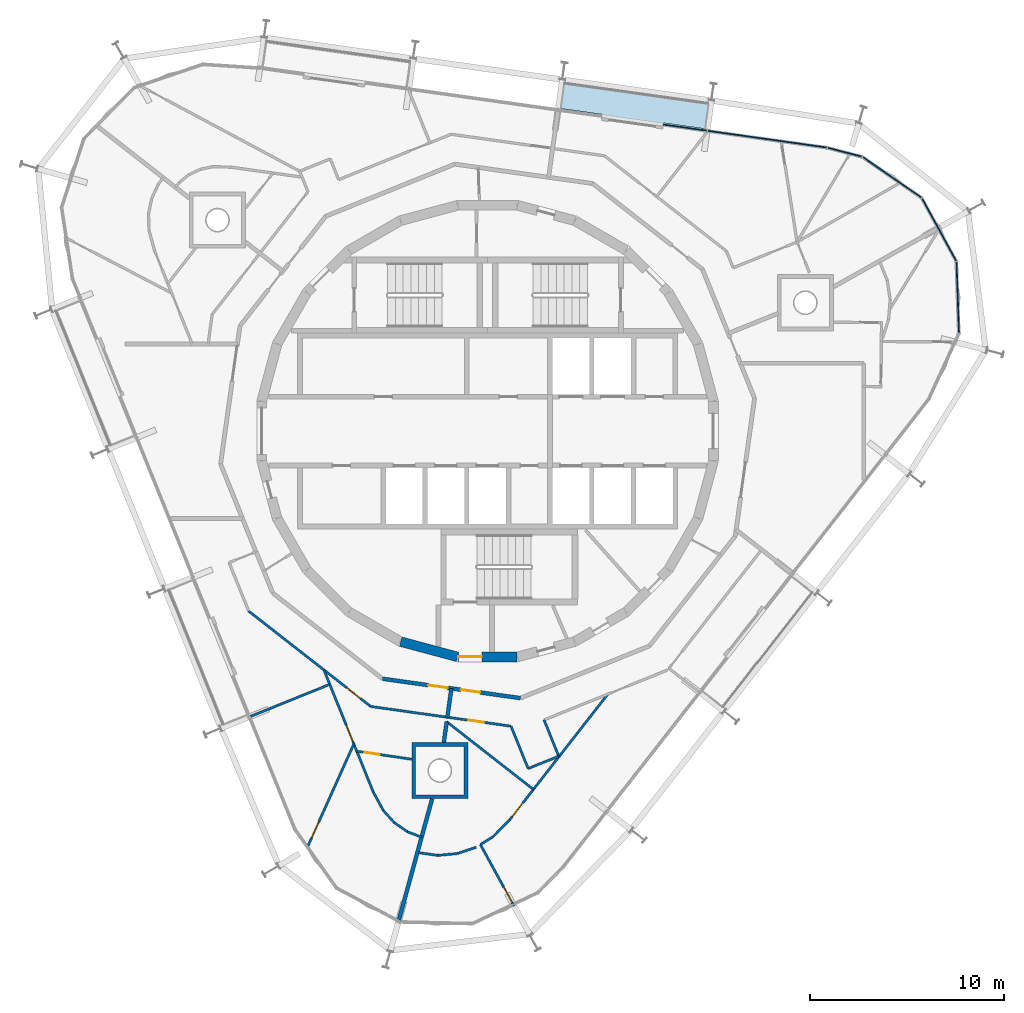
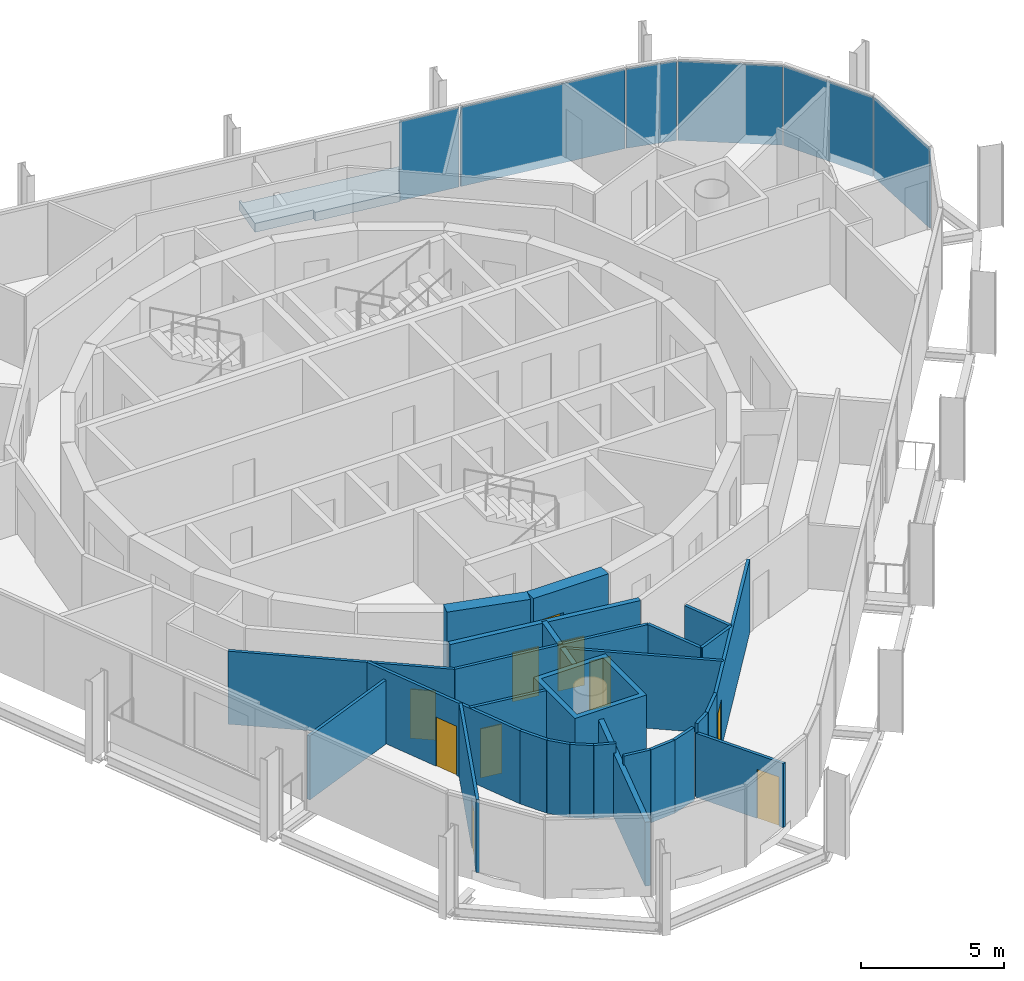
# One storey, part 9 of 15: 28 walls, 10 doors, 6 plates, 1 slab, 10 openings, 2 elements without a shape of their own.
"""IFC4 building model written with IfcOpenShell, lengths in metres."""

from ifc_helpers import new_model, si_unit, direction, frame, frame_2d, origin, origin_2d, place, context, subcontext, project, spatial, polyline, rectangle, outline, extrude, material, layer, layer_set, type_object, element, fill, aggregate, save


model = new_model("IFC4")

# Units and contexts
model_context = context("Model", 3, precision=1e-05, world=origin(), true_north=direction((0.0, 1.0)))
body_context = subcontext(model_context, "Body", "Model", "MODEL_VIEW")
ifc_project = project(units=[si_unit("LENGTHUNIT", "METRE"), si_unit("AREAUNIT", "SQUARE_METRE"), si_unit("VOLUMEUNIT", "CUBIC_METRE"), si_unit("PLANEANGLEUNIT", "RADIAN"), si_unit("MASSUNIT", "GRAM", prefix="KILO")], contexts=[model_context])

# Site, building, storey
site_placement = place(None, origin())
site = spatial("IfcSite", under=ifc_project, at=site_placement, CompositionType="ELEMENT")
building_placement = place(site_placement, origin())
building = spatial("IfcBuilding", under=site, at=building_placement, Name="Spindle Arch Residences", CompositionType="ELEMENT")
storey_placement = place(building_placement, frame((0.0, 0.0, 350.5)))
storey = spatial("IfcBuildingStorey", under=building, at=storey_placement, Name="L90", CompositionType="ELEMENT", Elevation=350.5)

# Slab
ifc_material_1 = material(Name="Concrete C40/50", Category="concrete")
ifc_layer_1 = layer(ifc_material_1, 0.3798828125)
ifc_layer_set_1 = layer_set([ifc_layer_1], Name="Balcony slab 380")
slab_type = type_object("IfcSlabType", Name="Balcony slab 380", PredefinedType="FLOOR", material=ifc_layer_set_1)
slab_placement = place(storey_placement, frame((0.0, 0.0, -0.3798828125)))
element("IfcSlab", 1, at=slab_placement, inside=storey, type_object=slab_type, Name="Balcony L90 bay 6", PredefinedType="FLOOR", context=body_context, shape_type="SweptSolid", body=[
    extrude(outline(polyline([(11.470458984375, 17.05810546875), (11.396240234375, 17.068359375), (11.375244140625, 16.919921875), (3.982421875, 17.958984375), (4.00341796875, 18.107421875), (3.928955078125, 18.117919921875), (3.7216796875, 16.642333984375), (5.907958984375, 16.335205078125), (5.8857421875, 16.1767578125), (9.054443359375, 15.7314453125), (9.076904296875, 15.889892578125), (11.26318359375, 15.58251953125), (11.470458984375, 17.05810546875)])), origin(), (0.0, 0.0, 1.0), 0.3798828125),
])

# Curtain wall, plates
ifc_material_2 = material(Name="Aluminium bronze unitised frame with tinted glass", Category="aluminium")
ifc_layer_2 = layer(ifc_material_2, 0.159912109375)
ifc_layer_set_2 = layer_set([ifc_layer_2], Name="CW-D corner wall on the fillet arcs")
curtain_wall_type_1 = type_object("IfcCurtainWallType", Name="CW-D corner wall on the fillet arcs", PredefinedType="NOTDEFINED", material=ifc_layer_set_2)
curtain_wall_1_placement = place(storey_placement, origin())
curtain_wall_1 = element("IfcCurtainWall", 2, at=curtain_wall_1_placement, inside=storey, type_object=curtain_wall_type_1, Name="CW-D L90 run 1", PredefinedType="NOTDEFINED")
ifc_material_3 = material(Name="Tinted double glazing over aluminium faced non-combustible spandrel zone (K0)", Category="aluminium")
ifc_layer_3 = layer(ifc_material_3, 0.06005859375)
ifc_layer_set_3 = layer_set([ifc_layer_3], Name="Unitised glass panel with E 60 spandrel zone")
plate_type = type_object("IfcPlateType", Name="Unitised glass panel with E 60 spandrel zone", PredefinedType="CURTAIN_PANEL", material=ifc_layer_set_3)
plate_1_placement = place(storey_placement, frame((24.2470703125, 6.896240234375, -0.3798828125), z_axis=(0.0, 0.0, 1.0), x_axis=(-0.034899497139, 0.999390827004, 0.0)))
plate_1 = element("IfcPlate", 3, at=plate_1_placement, type_object=plate_type, Name="CW-D unit 02", PredefinedType="CURTAIN_PANEL", context=body_context, shape_type="SweptSolid", body=[
    extrude(rectangle(XDim=3.666748046875, YDim=0.06005859375, at=origin_2d()), origin(), (0.0, 0.0, 1.0), 3.3798828125),
])
plate_2_placement = place(storey_placement, frame((23.2880859375, 10.3935546875, -0.3798828125), z_axis=(0.0, 0.0, 1.0), x_axis=(-0.479713114021, 0.877425397533, 0.0)))
plate_2 = element("IfcPlate", 4, at=plate_2_placement, type_object=plate_type, Name="CW-D unit 03", PredefinedType="CURTAIN_PANEL", context=body_context, shape_type="SweptSolid", body=[
    extrude(rectangle(XDim=3.666748046875, YDim=0.06005859375, at=origin_2d()), origin(), (0.0, 0.0, 1.0), 3.3798828125),
])
plate_3_placement = place(storey_placement, frame((20.86181640625, 13.08837890625, -0.3798828125), z_axis=(0.0, 0.0, 1.0), x_axis=(-0.822475094841, 0.568801123739, 0.0)))
plate_3 = element("IfcPlate", 5, at=plate_3_placement, type_object=plate_type, Name="CW-D unit 04", PredefinedType="CURTAIN_PANEL", context=body_context, shape_type="SweptSolid", body=[
    extrude(rectangle(XDim=3.666748046875, YDim=0.06005859375, at=origin_2d()), origin(), (0.0, 0.0, 1.0), 3.3798828125),
])
plate_4_placement = place(storey_placement, frame((18.421630859375, 14.3857421875, -0.3798828125), z_axis=(0.0, 0.0, 1.0), x_axis=(-0.967415218326, 0.25319517245, 0.0)))
plate_4 = element("IfcPlate", 6, at=plate_4_placement, type_object=plate_type, Name="CW-D unit 05", PredefinedType="CURTAIN_PANEL", context=body_context, shape_type="SweptSolid", body=[
    extrude(rectangle(XDim=1.816162109375, YDim=0.06005859375, at=origin_2d()), origin(), (0.0, 0.0, 1.0), 3.3798828125),
])
plate_5_placement = place(storey_placement, frame((14.420166015625, 15.05810546875, -0.3798828125), z_axis=(0.0, 0.0, 1.0), x_axis=(-0.990268068742, 0.13917310096, 0.0)))
plate_5 = element("IfcPlate", 7, at=plate_5_placement, type_object=plate_type, Name="CW-D unit 06", PredefinedType="CURTAIN_PANEL", context=body_context, shape_type="SweptSolid", body=[
    extrude(rectangle(XDim=6.188720703125, YDim=0.06005859375, at=origin_2d()), origin(), (0.0, 0.0, 1.0), 3.3798828125),
])
aggregate(curtain_wall_1, [plate_1, plate_2, plate_3, plate_4, plate_5])

# Curtain wall, plate
ifc_material_4 = material(Name="Aluminium bronze unitised frame with tinted glass", Category="aluminium")
ifc_layer_4 = layer(ifc_material_4, 0.159912109375)
ifc_layer_set_4 = layer_set([ifc_layer_4], Name="CW-C typical residential unitised wall")
curtain_wall_type_2 = type_object("IfcCurtainWallType", Name="CW-C typical residential unitised wall", PredefinedType="NOTDEFINED", material=ifc_layer_set_4)
curtain_wall_2_placement = place(storey_placement, origin())
curtain_wall_2 = element("IfcCurtainWall", 8, at=curtain_wall_2_placement, inside=storey, type_object=curtain_wall_type_2, Name="CW-C L90 run 2", PredefinedType="NOTDEFINED")
plate_6_placement = place(storey_placement, frame((10.18115234375, 15.65380859375, -0.3798828125), z_axis=(0.0, 0.0, 1.0), x_axis=(-0.990268068742, 0.13917310096, 0.0)))
plate_6 = element("IfcPlate", 9, at=plate_6_placement, type_object=plate_type, Name="CW-C unit 05L", PredefinedType="CURTAIN_PANEL", context=body_context, shape_type="SweptSolid", body=[
    extrude(rectangle(XDim=2.252685546875, YDim=0.06005859375, at=origin_2d()), origin(), (0.0, 0.0, 1.0), 3.3798828125),
])
aggregate(curtain_wall_2, [plate_6])

# Wall
ifc_material_5 = material(Name="Concrete C50/60", Category="concrete")
ifc_layer_5 = layer(ifc_material_5, 0.5)
ifc_layer_set_5 = layer_set([ifc_layer_5], Name="Core outline wall 500")
wall_type_1 = type_object("IfcWallType", Name="Core outline wall 500", PredefinedType="SHEAR", material=ifc_layer_set_5)
wall_1_placement = place(storey_placement, frame((-4.479248046875, -10.858154296875, 0.0), z_axis=(0.0, 0.0, 1.0), x_axis=(0.965948410781, -0.258734743916, 0.0)))
element("IfcWall", 10, at=wall_1_placement, inside=storey, type_object=wall_type_1, Name="Core outline wall 23", PredefinedType="SHEAR", context=body_context, shape_type="SweptSolid", body=[
    extrude(rectangle(XDim=3.03271484375, YDim=0.5, at=frame_2d((1.516357421875, 0.0))), origin(), (0.0, 0.0, 1.0), 3.1201171875),
])

# Wall, opening, door
wall_2_placement = place(storey_placement, frame((-1.516357421875, -11.647216796875, 0.0), z_axis=(0.0, 0.0, 1.0), x_axis=(1.0, 0.0, 0.0)))
wall_2 = element("IfcWall", 11, at=wall_2_placement, inside=storey, type_object=wall_type_1, Name="Core outline wall 24", PredefinedType="SHEAR", context=body_context, shape_type="SweptSolid", body=[
    extrude(rectangle(XDim=3.03271484375, YDim=0.5, at=frame_2d((1.516357421875, 0.0))), origin(), (0.0, 0.0, 1.0), 3.1201171875),
])
opening_1_placement = place(wall_2_placement, frame((0.016357421875, 0.0, 0.0)))
opening_1 = element("IfcOpeningElement", 12, at=opening_1_placement, cuts=wall_2, Name="Opening R9B1-AD03", PredefinedType="OPENING", context=body_context, shape_type="SweptSolid", body=[
    extrude(rectangle(XDim=1.199951171875, YDim=2.10009765625, at=frame_2d((0.60009765625, 1.050048828125))), frame((0.0, 0.260009765625, 0.0), z_axis=(0.0, -1.0, 0.0), x_axis=(1.0, 0.0, 0.0)), (0.0, 0.0, 1.0), 0.52001953125),
])
ifc_material_6 = material(Name="Steel, fire-resisting door", Category="steel")
door_type_1 = type_object("IfcDoorType", Name="Stair airlock door 1200x2100", OperationType="SINGLE_SWING_LEFT", PredefinedType="DOOR", material=ifc_material_6)
door_1_placement = place(opening_1_placement, origin())
door_1 = element("IfcDoor", 13, at=door_1_placement, inside=storey, type_object=door_type_1, Name="Stair airlock door R9B1-AD03", OperationType="SINGLE_SWING_RIGHT", OverallHeight=2.10009765625, OverallWidth=1.199951171875, PredefinedType="DOOR", context=body_context, shape_type="SweptSolid", body=[
    extrude(rectangle(XDim=1.199951171875, YDim=2.10009765625, at=frame_2d((0.60009765625, 1.050048828125))), frame((0.0, 0.02490234375, 0.0), z_axis=(0.0, -1.0, 0.0), x_axis=(1.0, 0.0, 0.0)), (0.0, 0.0, 1.0), 0.050048828125),
])
fill(opening_1, door_1)

# Wall, openings, doors
ifc_material_7 = material(Name="Calcium silicate block, plastered")
ifc_layer_6 = layer(ifc_material_7, 0.199951171875)
ifc_layer_set_6 = layer_set([ifc_layer_6], Name="Corridor wall 200")
wall_type_2 = type_object("IfcWallType", Name="Corridor wall 200", PredefinedType="STANDARD", material=ifc_layer_set_6)
wall_3_placement = place(storey_placement, frame((-5.42041015625, -12.77001953125, 0.0), z_axis=(0.0, 0.0, 1.0), x_axis=(0.990270565508, -0.139155334385, 0.0)))
wall_3 = element("IfcWall", 14, at=wall_3_placement, inside=storey, type_object=wall_type_2, Name="Corridor wall R9B1-W015", PredefinedType="STANDARD", context=body_context, shape_type="SweptSolid", body=[
    extrude(rectangle(XDim=7.180908203125, YDim=0.199951171875, at=frame_2d((3.59033203125, 0.0))), origin(), (0.0, 0.0, 1.0), 3.1201171875),
])
opening_2_placement = place(wall_3_placement, frame((2.390380859375, 0.0, 0.0)))
opening_2 = element("IfcOpeningElement", 15, at=opening_2_placement, cuts=wall_3, Name="Opening R9B1-FD05", PredefinedType="OPENING", context=body_context, shape_type="SweptSolid", body=[
    extrude(rectangle(XDim=1.0, YDim=2.10009765625, at=frame_2d((0.5, 1.050048828125))), frame((0.0, 0.10986328125, 0.0), z_axis=(0.0, -1.0, 0.0), x_axis=(1.0, 0.0, 0.0)), (0.0, 0.0, 1.0), 0.219970703125),
])
opening_3_placement = place(wall_3_placement, frame((4.090576171875, 0.0, 0.0)))
opening_3 = element("IfcOpeningElement", 16, at=opening_3_placement, cuts=wall_3, Name="Opening R9B1-FD06", PredefinedType="OPENING", context=body_context, shape_type="SweptSolid", body=[
    extrude(rectangle(XDim=1.0, YDim=2.10009765625, at=frame_2d((0.5, 1.050048828125))), frame((0.0, 0.10986328125, 0.0), z_axis=(0.0, -1.0, 0.0), x_axis=(1.0, 0.0, 0.0)), (0.0, 0.0, 1.0), 0.219970703125),
])
ifc_material_8 = material(Name="Timber, fire-resisting door set", Category="wood")
door_type_2 = type_object("IfcDoorType", Name="Flat entrance door 1000x2100", OperationType="NOTDEFINED", PredefinedType="DOOR", material=ifc_material_8)
door_2_placement = place(opening_2_placement, origin())
door_2 = element("IfcDoor", 17, at=door_2_placement, inside=storey, type_object=door_type_2, Name="Flat entrance door R9B1-FD05", OperationType="SINGLE_SWING_RIGHT", OverallHeight=2.10009765625, OverallWidth=1.0, PredefinedType="DOOR", context=body_context, shape_type="SweptSolid", body=[
    extrude(rectangle(XDim=1.0, YDim=2.10009765625, at=frame_2d((0.5, 1.050048828125))), frame((0.0, 0.02490234375, 0.0), z_axis=(0.0, -1.0, 0.0), x_axis=(1.0, 0.0, 0.0)), (0.0, 0.0, 1.0), 0.050048828125),
])
fill(opening_2, door_2)
door_3_placement = place(opening_3_placement, origin())
door_3 = element("IfcDoor", 18, at=door_3_placement, inside=storey, type_object=door_type_2, Name="Flat entrance door R9B1-FD06", OperationType="SINGLE_SWING_RIGHT", OverallHeight=2.10009765625, OverallWidth=1.0, PredefinedType="DOOR", context=body_context, shape_type="SweptSolid", body=[
    extrude(rectangle(XDim=1.0, YDim=2.10009765625, at=frame_2d((0.5, 1.050048828125))), frame((0.0, 0.02490234375, 0.0), z_axis=(0.0, -1.0, 0.0), x_axis=(1.0, 0.0, 0.0)), (0.0, 0.0, 1.0), 0.050048828125),
])
fill(opening_3, door_3)

# Wall, opening, door
ifc_material_9 = material(Name="Plasterboard on steel studs", Category="steel")
ifc_layer_7 = layer(ifc_material_9, 0.1201171875)
ifc_layer_set_7 = layer_set([ifc_layer_7], Name="Flat partition 120")
wall_type_3 = type_object("IfcWallType", Name="Flat partition 120", PredefinedType="PARTITIONING", material=ifc_layer_set_7)
wall_4_placement = place(storey_placement, frame((-12.3193359375, -9.283447265625, 0.0), z_axis=(0.0, 0.0, 1.0), x_axis=(0.788000268464, -0.61567489546, 0.0)))
wall_4 = element("IfcWall", 19, at=wall_4_placement, inside=storey, type_object=wall_type_3, Name="Flat partition R9B1-W074", PredefinedType="PARTITIONING", context=body_context, shape_type="SweptSolid", body=[
    extrude(rectangle(XDim=7.98486328125, YDim=0.1201171875, at=frame_2d((3.992431640625, 0.0))), origin(), (0.0, 0.0, 1.0), 3.1201171875),
])
opening_4_placement = place(wall_4_placement, frame((6.423095703125, 0.0, 0.0)))
opening_4 = element("IfcOpeningElement", 20, at=opening_4_placement, cuts=wall_4, Name="Opening R9B1-ID16", PredefinedType="OPENING", context=body_context, shape_type="SweptSolid", body=[
    extrude(rectangle(XDim=0.89990234375, YDim=2.10009765625, at=frame_2d((0.449951171875, 1.050048828125))), frame((0.0, 0.070068359375, 0.0), z_axis=(0.0, -1.0, 0.0), x_axis=(1.0, 0.0, 0.0)), (0.0, 0.0, 1.0), 0.14013671875),
])
ifc_material_10 = material(Name="Timber door set", Category="wood")
door_type_3 = type_object("IfcDoorType", Name="Room door 900x2100", OperationType="NOTDEFINED", PredefinedType="DOOR", material=ifc_material_10)
door_4_placement = place(opening_4_placement, origin())
door_4 = element("IfcDoor", 21, at=door_4_placement, inside=storey, type_object=door_type_3, Name="Room door R9B1-ID16", OperationType="SINGLE_SWING_RIGHT", OverallHeight=2.10009765625, OverallWidth=0.89990234375, PredefinedType="DOOR", context=body_context, shape_type="SweptSolid", body=[
    extrude(rectangle(XDim=0.89990234375, YDim=2.10009765625, at=frame_2d((0.449951171875, 1.050048828125))), frame((0.0, 0.02490234375, 0.0), z_axis=(0.0, -1.0, 0.0), x_axis=(1.0, 0.0, 0.0)), (0.0, 0.0, 1.0), 0.050048828125),
])
fill(opening_4, door_4)

wall_5_placement = place(storey_placement, frame((-6.02734375, -14.199462890625, 0.0), z_axis=(0.0, 0.0, 1.0), x_axis=(0.990271617837, -0.139147845494, 0.0)))
wall_5 = element("IfcWall", 22, at=wall_5_placement, inside=storey, type_object=wall_type_3, Name="Flat partition R9B1-W075", PredefinedType="PARTITIONING", context=body_context, shape_type="SweptSolid", body=[
    extrude(rectangle(XDim=7.3076171875, YDim=0.1201171875, at=frame_2d((3.65380859375, 0.0))), origin(), (0.0, 0.0, 1.0), 3.1201171875),
])
opening_5_placement = place(wall_5_placement, frame((5.092529296875, 0.0, 0.0)))
opening_5 = element("IfcOpeningElement", 23, at=opening_5_placement, cuts=wall_5, Name="Opening R9B1-BD06", PredefinedType="OPENING", context=body_context, shape_type="SweptSolid", body=[
    extrude(rectangle(XDim=0.800048828125, YDim=2.10009765625, at=frame_2d((0.39990234375, 1.050048828125))), frame((0.0, 0.070068359375, 0.0), z_axis=(0.0, -1.0, 0.0), x_axis=(1.0, 0.0, 0.0)), (0.0, 0.0, 1.0), 0.14013671875),
])
ifc_material_11 = material(Name="Timber door set", Category="wood")
door_type_4 = type_object("IfcDoorType", Name="Bathroom door 800x2100", OperationType="NOTDEFINED", PredefinedType="DOOR", material=ifc_material_11)
door_5_placement = place(opening_5_placement, origin())
door_5 = element("IfcDoor", 24, at=door_5_placement, inside=storey, type_object=door_type_4, Name="Bathroom door R9B1-BD06", OperationType="SINGLE_SWING_LEFT", OverallHeight=2.10009765625, OverallWidth=0.800048828125, PredefinedType="DOOR", context=body_context, shape_type="SweptSolid", body=[
    extrude(rectangle(XDim=0.800048828125, YDim=2.10009765625, at=frame_2d((0.39990234375, 1.050048828125))), frame((0.0, 0.02490234375, 0.0), z_axis=(0.0, -1.0, 0.0), x_axis=(1.0, 0.0, 0.0)), (0.0, 0.0, 1.0), 0.050048828125),
])
fill(opening_5, door_5)

wall_6_placement = place(storey_placement, frame((-5.89404296875, -18.615966796875, 0.0), z_axis=(0.0, 0.0, 1.0), x_axis=(-0.374596683143, 0.927187858515, 0.0)))
wall_6 = element("IfcWall", 25, at=wall_6_placement, inside=storey, type_object=wall_type_3, Name="Flat partition R9B1-W077", PredefinedType="PARTITIONING", context=body_context, shape_type="SweptSolid", body=[
    extrude(rectangle(XDim=6.79638671875, YDim=0.1201171875, at=frame_2d((3.398193359375, 0.0))), origin(), (0.0, 0.0, 1.0), 3.1201171875),
])
opening_6_placement = place(wall_6_placement, frame((2.822265625, 0.0, 0.0)))
opening_6 = element("IfcOpeningElement", 26, at=opening_6_placement, cuts=wall_6, Name="Opening R9B1-ID17", PredefinedType="OPENING", context=body_context, shape_type="SweptSolid", body=[
    extrude(rectangle(XDim=0.89990234375, YDim=2.10009765625, at=frame_2d((0.449951171875, 1.050048828125))), frame((0.0, 0.070068359375, 0.0), z_axis=(0.0, -1.0, 0.0), x_axis=(1.0, 0.0, 0.0)), (0.0, 0.0, 1.0), 0.14013671875),
])
door_6_placement = place(opening_6_placement, origin())
door_6 = element("IfcDoor", 27, at=door_6_placement, inside=storey, type_object=door_type_3, Name="Room door R9B1-ID17", OperationType="SINGLE_SWING_RIGHT", OverallHeight=2.10009765625, OverallWidth=0.89990234375, PredefinedType="DOOR", context=body_context, shape_type="SweptSolid", body=[
    extrude(rectangle(XDim=0.89990234375, YDim=2.10009765625, at=frame_2d((0.449951171875, 1.050048828125))), frame((0.0, 0.02490234375, 0.0), z_axis=(0.0, -1.0, 0.0), x_axis=(1.0, 0.0, 0.0)), (0.0, 0.0, 1.0), 0.050048828125),
])
fill(opening_6, door_6)

wall_7_placement = place(storey_placement, frame((-9.3203125, -21.52099609375, 0.0), z_axis=(0.0, 0.0, 1.0), x_axis=(0.410206582363, 0.911992631432, 0.0)))
wall_7 = element("IfcWall", 28, at=wall_7_placement, inside=storey, type_object=wall_type_3, Name="Flat partition R9B1-W078", PredefinedType="PARTITIONING", context=body_context, shape_type="SweptSolid", body=[
    extrude(rectangle(XDim=5.90771484375, YDim=0.1201171875, at=frame_2d((2.953857421875, 0.0))), origin(), (0.0, 0.0, 1.0), 3.1201171875),
])
opening_7_placement = place(wall_7_placement, frame((0.60009765625, 0.0, 0.0)))
opening_7 = element("IfcOpeningElement", 29, at=opening_7_placement, cuts=wall_7, Name="Opening R9B1-ID18", PredefinedType="OPENING", context=body_context, shape_type="SweptSolid", body=[
    extrude(rectangle(XDim=0.89990234375, YDim=2.10009765625, at=frame_2d((0.449951171875, 1.050048828125))), frame((0.0, 0.070068359375, 0.0), z_axis=(0.0, -1.0, 0.0), x_axis=(1.0, 0.0, 0.0)), (0.0, 0.0, 1.0), 0.14013671875),
])
door_7_placement = place(opening_7_placement, origin())
door_7 = element("IfcDoor", 30, at=door_7_placement, inside=storey, type_object=door_type_3, Name="Room door R9B1-ID18", OperationType="SINGLE_SWING_RIGHT", OverallHeight=2.10009765625, OverallWidth=0.89990234375, PredefinedType="DOOR", context=body_context, shape_type="SweptSolid", body=[
    extrude(rectangle(XDim=0.89990234375, YDim=2.10009765625, at=frame_2d((0.449951171875, 1.050048828125))), frame((0.0, 0.02490234375, 0.0), z_axis=(0.0, -1.0, 0.0), x_axis=(1.0, 0.0, 0.0)), (0.0, 0.0, 1.0), 0.050048828125),
])
fill(opening_7, door_7)

wall_8_placement = place(storey_placement, frame((-6.7451171875, -16.509033203125, 0.0), z_axis=(0.0, 0.0, 1.0), x_axis=(0.989610924185, -0.143771411393, 0.0)))
wall_8 = element("IfcWall", 31, at=wall_8_placement, inside=storey, type_object=wall_type_3, Name="Flat partition R9B1-W079", PredefinedType="PARTITIONING", context=body_context, shape_type="SweptSolid", body=[
    extrude(rectangle(XDim=2.86474609375, YDim=0.1201171875, at=frame_2d((1.432373046875, 0.0))), origin(), (0.0, 0.0, 1.0), 3.1201171875),
])
opening_8_placement = place(wall_8_placement, frame((0.39990234375, 0.0, 0.0)))
opening_8 = element("IfcOpeningElement", 32, at=opening_8_placement, cuts=wall_8, Name="Opening R9B1-BD05", PredefinedType="OPENING", context=body_context, shape_type="SweptSolid", body=[
    extrude(rectangle(XDim=0.800048828125, YDim=2.10009765625, at=frame_2d((0.39990234375, 1.050048828125))), frame((0.0, 0.070068359375, 0.0), z_axis=(0.0, -1.0, 0.0), x_axis=(1.0, 0.0, 0.0)), (0.0, 0.0, 1.0), 0.14013671875),
])
door_8_placement = place(opening_8_placement, origin())
door_8 = element("IfcDoor", 33, at=door_8_placement, inside=storey, type_object=door_type_4, Name="Bathroom door R9B1-BD05", OperationType="SINGLE_SWING_RIGHT", OverallHeight=2.10009765625, OverallWidth=0.800048828125, PredefinedType="DOOR", context=body_context, shape_type="SweptSolid", body=[
    extrude(rectangle(XDim=0.800048828125, YDim=2.10009765625, at=frame_2d((0.39990234375, 1.050048828125))), frame((0.0, 0.02490234375, 0.0), z_axis=(0.0, -1.0, 0.0), x_axis=(1.0, 0.0, 0.0)), (0.0, 0.0, 1.0), 0.050048828125),
])
fill(opening_8, door_8)

# Walls
wall_9_placement = place(storey_placement, frame((-3.403564453125, -20.943115234375, 0.0), z_axis=(0.0, 0.0, 1.0), x_axis=(-0.931485289212, 0.363778993321, 0.0)))
element("IfcWall", 34, at=wall_9_placement, inside=storey, type_object=wall_type_3, Name="Flat partition R9B1-W080", PredefinedType="PARTITIONING", context=body_context, shape_type="SweptSolid", body=[
    extrude(rectangle(XDim=0.78662109375, YDim=0.1201171875, at=frame_2d((0.393310546875, 0.0))), origin(), (0.0, 0.0, 1.0), 3.1201171875),
])
wall_10_placement = place(storey_placement, frame((-4.13623046875, -20.656982421875, 0.0), z_axis=(0.0, 0.0, 1.0), x_axis=(-0.822552500908, 0.568689179826, 0.0)))
element("IfcWall", 35, at=wall_10_placement, inside=storey, type_object=wall_type_3, Name="Flat partition R9B1-W081", PredefinedType="PARTITIONING", context=body_context, shape_type="SweptSolid", body=[
    extrude(rectangle(XDim=0.8291015625, YDim=0.1201171875, at=frame_2d((0.41455078125, 0.0))), origin(), (0.0, 0.0, 1.0), 3.1201171875),
])
wall_11_placement = place(storey_placement, frame((-4.818115234375, -20.185546875, 0.0), z_axis=(0.0, 0.0, 1.0), x_axis=(-0.669013557227, 0.743250200301, 0.0)))
element("IfcWall", 36, at=wall_11_placement, inside=storey, type_object=wall_type_3, Name="Flat partition R9B1-W082", PredefinedType="PARTITIONING", context=body_context, shape_type="SweptSolid", body=[
    extrude(rectangle(XDim=0.828857421875, YDim=0.1201171875, at=frame_2d((0.41455078125, 0.0))), origin(), (0.0, 0.0, 1.0), 3.1201171875),
])
wall_12_placement = place(storey_placement, frame((-5.37255859375, -19.569580078125, 0.0), z_axis=(0.0, 0.0, 1.0), x_axis=(-0.479796131471, 0.87738000446, 0.0)))
element("IfcWall", 37, at=wall_12_placement, inside=storey, type_object=wall_type_3, Name="Flat partition R9B1-W083", PredefinedType="PARTITIONING", context=body_context, shape_type="SweptSolid", body=[
    extrude(rectangle(XDim=1.0869140625, YDim=0.1201171875, at=frame_2d((0.54345703125, 0.0))), origin(), (0.0, 0.0, 1.0), 3.1201171875),
])
wall_13_placement = place(storey_placement, frame((1.209228515625, -15.21630859375, 0.0), z_axis=(0.0, 0.0, 1.0), x_axis=(0.374531550488, -0.927214170345, 0.0)))
element("IfcWall", 38, at=wall_13_placement, inside=storey, type_object=wall_type_3, Name="Flat partition R9B1-W084", PredefinedType="PARTITIONING", context=body_context, shape_type="SweptSolid", body=[
    extrude(rectangle(XDim=2.357177734375, YDim=0.1201171875, at=frame_2d((1.1787109375, 0.0))), origin(), (0.0, 0.0, 1.0), 3.1201171875),
])
wall_14_placement = place(storey_placement, frame((2.092041015625, -17.40185546875, 0.0), z_axis=(0.0, 0.0, 1.0), x_axis=(0.927153589835, 0.374681492546, 0.0)))
element("IfcWall", 39, at=wall_14_placement, inside=storey, type_object=wall_type_3, Name="Flat partition R9B1-W085", PredefinedType="PARTITIONING", context=body_context, shape_type="SweptSolid", body=[
    extrude(rectangle(XDim=1.699951171875, YDim=0.1201171875, at=frame_2d((0.85009765625, 0.0))), origin(), (0.0, 0.0, 1.0), 3.1201171875),
])
wall_15_placement = place(storey_placement, frame((3.668212890625, -16.764892578125, 0.0), z_axis=(0.0, 0.0, 1.0), x_axis=(-0.374621045498, 0.927178015416, 0.0)))
element("IfcWall", 40, at=wall_15_placement, inside=storey, type_object=wall_type_3, Name="Flat partition R9B1-W086", PredefinedType="PARTITIONING", context=body_context, shape_type="SweptSolid", body=[
    extrude(rectangle(XDim=2.018310546875, YDim=0.1201171875, at=frame_2d((1.00927734375, 0.0))), origin(), (0.0, 0.0, 1.0), 3.1201171875),
])
wall_16_placement = place(storey_placement, frame((-0.587890625, -21.45947265625, 0.0), z_axis=(0.0, 0.0, 1.0), x_axis=(-0.94737753159, -0.320118435332, 0.0)))
element("IfcWall", 41, at=wall_16_placement, inside=storey, type_object=wall_type_3, Name="Flat partition R9B1-W089", PredefinedType="PARTITIONING", context=body_context, shape_type="SweptSolid", body=[
    extrude(rectangle(XDim=1.015869140625, YDim=0.1201171875, at=frame_2d((0.5078125, 0.0))), origin(), (0.0, 0.0, 1.0), 3.1201171875),
])
wall_17_placement = place(storey_placement, frame((-1.55029296875, -21.78466796875, 0.0), z_axis=(0.0, 0.0, 1.0), x_axis=(-0.995667655176, -0.092983441736, 0.0)))
element("IfcWall", 42, at=wall_17_placement, inside=storey, type_object=wall_type_3, Name="Flat partition R9B1-W090", PredefinedType="PARTITIONING", context=body_context, shape_type="SweptSolid", body=[
    extrude(rectangle(XDim=1.01611328125, YDim=0.1201171875, at=frame_2d((0.508056640625, 0.0))), origin(), (0.0, 0.0, 1.0), 3.1201171875),
])
wall_18_placement = place(storey_placement, frame((-2.56201171875, -21.879150390625, 0.0), z_axis=(0.0, 0.0, 1.0), x_axis=(-0.990273657549, 0.139133328736, 0.0)))
element("IfcWall", 43, at=wall_18_placement, inside=storey, type_object=wall_type_3, Name="Flat partition R9B1-W091", PredefinedType="PARTITIONING", context=body_context, shape_type="SweptSolid", body=[
    extrude(rectangle(XDim=1.015869140625, YDim=0.1201171875, at=frame_2d((0.5078125, 0.0))), origin(), (0.0, 0.0, 1.0), 3.1201171875),
])
wall_19_placement = place(storey_placement, frame((2.36328125, -18.477783203125, 0.0), z_axis=(0.0, 0.0, 1.0), x_axis=(-0.788010669333, 0.615661583191, 0.0)))
element("IfcWall", 44, at=wall_19_placement, inside=storey, type_object=wall_type_3, Name="Flat partition R9B1-W093", PredefinedType="PARTITIONING", context=body_context, shape_type="SweptSolid", body=[
    extrude(rectangle(XDim=5.671875, YDim=0.1201171875, at=frame_2d((2.8359375, 0.0))), origin(), (0.0, 0.0, 1.0), 3.1201171875),
])
wall_20_placement = place(storey_placement, frame((-0.368896484375, -21.32275390625, 0.0), z_axis=(0.0, 0.0, 1.0), x_axis=(0.847998304005, 0.529998940003, 0.0)))
element("IfcWall", 45, at=wall_20_placement, inside=storey, type_object=wall_type_3, Name="Flat partition R9B1-W094", PredefinedType="PARTITIONING", context=body_context, shape_type="SweptSolid", body=[
    extrude(rectangle(XDim=0.7578125, YDim=0.1201171875, at=frame_2d((0.37890625, 0.0))), origin(), (0.0, 0.0, 1.0), 3.1201171875),
])
wall_21_placement = place(storey_placement, frame((0.273681640625, -20.921142578125, 0.0), z_axis=(0.0, 0.0, 1.0), x_axis=(0.702915150142, 0.711273710818, 0.0)))
element("IfcWall", 46, at=wall_21_placement, inside=storey, type_object=wall_type_3, Name="Flat partition R9B1-W095", PredefinedType="PARTITIONING", context=body_context, shape_type="SweptSolid", body=[
    extrude(rectangle(XDim=1.226806640625, YDim=0.1201171875, at=frame_2d((0.61328125, 0.0))), origin(), (0.0, 0.0, 1.0), 3.1201171875),
])

# Wall, opening, door
wall_22_placement = place(storey_placement, frame((1.135986328125, -20.048583984375, 0.0), z_axis=(0.0, 0.0, 1.0), x_axis=(0.615662465763, 0.788009979792, 0.0)))
wall_22 = element("IfcWall", 47, at=wall_22_placement, inside=storey, type_object=wall_type_3, Name="Flat partition R9B1-W096", PredefinedType="PARTITIONING", context=body_context, shape_type="SweptSolid", body=[
    extrude(rectangle(XDim=8.228759765625, YDim=0.1201171875, at=frame_2d((4.1142578125, 0.0))), origin(), (0.0, 0.0, 1.0), 3.1201171875),
])
opening_9_placement = place(wall_22_placement, frame((0.199951171875, 0.0, 0.0)))
opening_9 = element("IfcOpeningElement", 48, at=opening_9_placement, cuts=wall_22, Name="Opening R9B1-ID22", PredefinedType="OPENING", context=body_context, shape_type="SweptSolid", body=[
    extrude(rectangle(XDim=0.89990234375, YDim=2.10009765625, at=frame_2d((0.449951171875, 1.050048828125))), frame((0.0, 0.070068359375, 0.0), z_axis=(0.0, -1.0, 0.0), x_axis=(1.0, 0.0, 0.0)), (0.0, 0.0, 1.0), 0.14013671875),
])
door_9_placement = place(opening_9_placement, origin())
door_9 = element("IfcDoor", 49, at=door_9_placement, inside=storey, type_object=door_type_3, Name="Room door R9B1-ID22", OperationType="SINGLE_SWING_RIGHT", OverallHeight=2.10009765625, OverallWidth=0.89990234375, PredefinedType="DOOR", context=body_context, shape_type="SweptSolid", body=[
    extrude(rectangle(XDim=0.89990234375, YDim=2.10009765625, at=frame_2d((0.449951171875, 1.050048828125))), frame((0.0, 0.02490234375, 0.0), z_axis=(0.0, -1.0, 0.0), x_axis=(1.0, 0.0, 0.0)), (0.0, 0.0, 1.0), 0.050048828125),
])
fill(opening_9, door_9)

# Wall
ifc_material_12 = material(Name="Plasterboard on steel studs", Category="steel")
ifc_layer_8 = layer(ifc_material_12, 0.1201171875)
ifc_layer_set_8 = layer_set([ifc_layer_8], Name="Flat partition 120 under beam 2730")
wall_type_4 = type_object("IfcWallType", Name="Flat partition 120 under beam 2730", PredefinedType="PARTITIONING", material=ifc_layer_set_8)
wall_23_placement = place(storey_placement, frame((-12.218505859375, -14.7080078125, 0.0), z_axis=(0.0, 0.0, 1.0), x_axis=(0.927189216671, 0.374593321469, 0.0)))
element("IfcWall", 50, at=wall_23_placement, inside=storey, type_object=wall_type_4, Name="Flat partition R9B1-W076", PredefinedType="PARTITIONING", context=body_context, shape_type="SweptSolid", body=[
    extrude(rectangle(XDim=4.39990234375, YDim=0.1201171875, at=frame_2d((2.199951171875, 0.0))), origin(), (0.0, 0.0, 1.0), 2.72998046875),
])

# Wall, opening, door
wall_24_placement = place(storey_placement, frame((1.36328125, -24.4853515625, 0.0), z_axis=(0.0, 0.0, 1.0), x_axis=(-0.480374148719, 0.877063667725, 0.0)))
wall_24 = element("IfcWall", 51, at=wall_24_placement, inside=storey, type_object=wall_type_4, Name="Flat partition R9B1-W092", PredefinedType="PARTITIONING", context=body_context, shape_type="SweptSolid", body=[
    extrude(rectangle(XDim=3.60595703125, YDim=0.1201171875, at=frame_2d((1.802978515625, 0.0))), origin(), (0.0, 0.0, 1.0), 2.72998046875),
])
opening_10_placement = place(wall_24_placement, frame((0.199951171875, 0.0, 0.0)))
opening_10 = element("IfcOpeningElement", 52, at=opening_10_placement, cuts=wall_24, Name="Opening R9B1-ID21", PredefinedType="OPENING", context=body_context, shape_type="SweptSolid", body=[
    extrude(rectangle(XDim=0.89990234375, YDim=2.10009765625, at=frame_2d((0.449951171875, 1.050048828125))), frame((0.0, 0.070068359375, 0.0), z_axis=(0.0, -1.0, 0.0), x_axis=(1.0, 0.0, 0.0)), (0.0, 0.0, 1.0), 0.14013671875),
])
door_10_placement = place(opening_10_placement, origin())
door_10 = element("IfcDoor", 53, at=door_10_placement, inside=storey, type_object=door_type_3, Name="Room door R9B1-ID21", OperationType="SINGLE_SWING_LEFT", OverallHeight=2.10009765625, OverallWidth=0.89990234375, PredefinedType="DOOR", context=body_context, shape_type="SweptSolid", body=[
    extrude(rectangle(XDim=0.89990234375, YDim=2.10009765625, at=frame_2d((0.449951171875, 1.050048828125))), frame((0.0, 0.02490234375, 0.0), z_axis=(0.0, -1.0, 0.0), x_axis=(1.0, 0.0, 0.0)), (0.0, 0.0, 1.0), 0.050048828125),
])
fill(opening_10, door_10)

# Walls
ifc_material_13 = material(Name="Calcium silicate block, plastered")
ifc_layer_9 = layer(ifc_material_13, 0.199951171875)
ifc_layer_set_9 = layer_set([ifc_layer_9], Name="Flat party wall 200")
wall_type_5 = type_object("IfcWallType", Name="Flat party wall 200", PredefinedType="STANDARD", material=ifc_layer_set_9)
wall_25_placement = place(storey_placement, frame((-2.073486328125, -14.7548828125, 0.0), z_axis=(0.0, 0.0, 1.0), x_axis=(0.139005431033, 0.990291618738, 0.0)))
element("IfcWall", 54, at=wall_25_placement, inside=storey, type_object=wall_type_5, Name="Flat party wall R9B1-W027", PredefinedType="STANDARD", context=body_context, shape_type="SweptSolid", body=[
    extrude(rectangle(XDim=1.5, YDim=0.199951171875, at=frame_2d((0.75, 0.0))), origin(), (0.0, 0.0, 1.0), 3.1201171875),
])
wall_26_placement = place(storey_placement, frame((-2.25634765625, -16.0546875, 0.0), z_axis=(0.0, 0.0, 1.0), x_axis=(0.139109268657, 0.990277037689, 0.0)))
element("IfcWall", 55, at=wall_26_placement, inside=storey, type_object=wall_type_5, Name="Flat party wall R9B1-W028", PredefinedType="STANDARD", context=body_context, shape_type="SweptSolid", body=[
    extrude(rectangle(XDim=1.079345703125, YDim=0.199951171875, at=frame_2d((0.53955078125, 0.0))), origin(), (0.0, 0.0, 1.0), 3.1201171875),
])
ifc_material_14 = material(Name="Calcium silicate block, plastered")
ifc_layer_10 = layer(ifc_material_14, 0.199951171875)
ifc_layer_set_10 = layer_set([ifc_layer_10], Name="Flat party wall 200 under beam 2730")
wall_type_6 = type_object("IfcWallType", Name="Flat party wall 200 under beam 2730", PredefinedType="STANDARD", material=ifc_layer_set_10)
wall_27_placement = place(storey_placement, frame((-4.573974609375, -25.209716796875, 0.0), z_axis=(0.0, 0.0, 1.0), x_axis=(0.264579024648, 0.964364007892, 0.0)))
element("IfcWall", 56, at=wall_27_placement, inside=storey, type_object=wall_type_6, Name="Flat party wall R9B1-W029", PredefinedType="STANDARD", context=body_context, shape_type="SweptSolid", body=[
    extrude(rectangle(XDim=6.486083984375, YDim=0.199951171875, at=frame_2d((3.2431640625, 0.0))), origin(), (0.0, 0.0, 1.0), 2.72998046875),
])
ifc_material_15 = material(Name="Calcium silicate block, plastered")
ifc_layer_11 = layer(ifc_material_15, 0.199951171875)
ifc_layer_set_11 = layer_set([ifc_layer_11], Name="Mega-column casing wall 200")
wall_type_7 = type_object("IfcWallType", Name="Mega-column casing wall 200", PredefinedType="STANDARD", material=ifc_layer_set_11)
wall_28_placement = place(storey_placement, origin())
element("IfcWall", 57, at=wall_28_placement, inside=storey, type_object=wall_type_7, Name="Mega-column casing wall R9B1-WC03", PredefinedType="STANDARD", context=body_context, shape_type="SweptSolid", body=[
    extrude(outline(polyline([(-1.010009765625, -16.0546875), (-1.010009765625, -18.954833984375), (-3.91015625, -18.954833984375), (-3.91015625, -16.0546875), (-1.010009765625, -16.0546875)]), holes=[polyline([(-3.710205078125, -18.7548828125), (-1.210205078125, -18.7548828125), (-1.210205078125, -16.2548828125), (-3.710205078125, -16.2548828125), (-3.710205078125, -18.7548828125)])]), origin(), (0.0, 0.0, 1.0), 3.1201171875),
])

save(model, "model.ifc")
